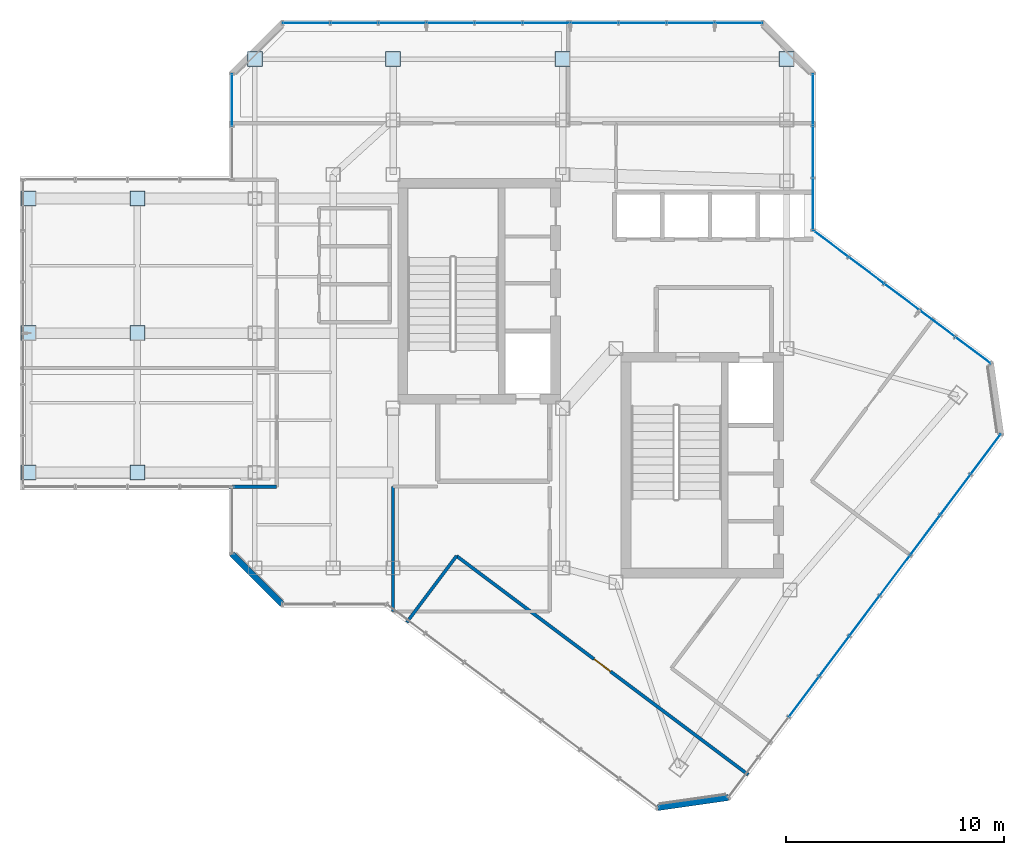
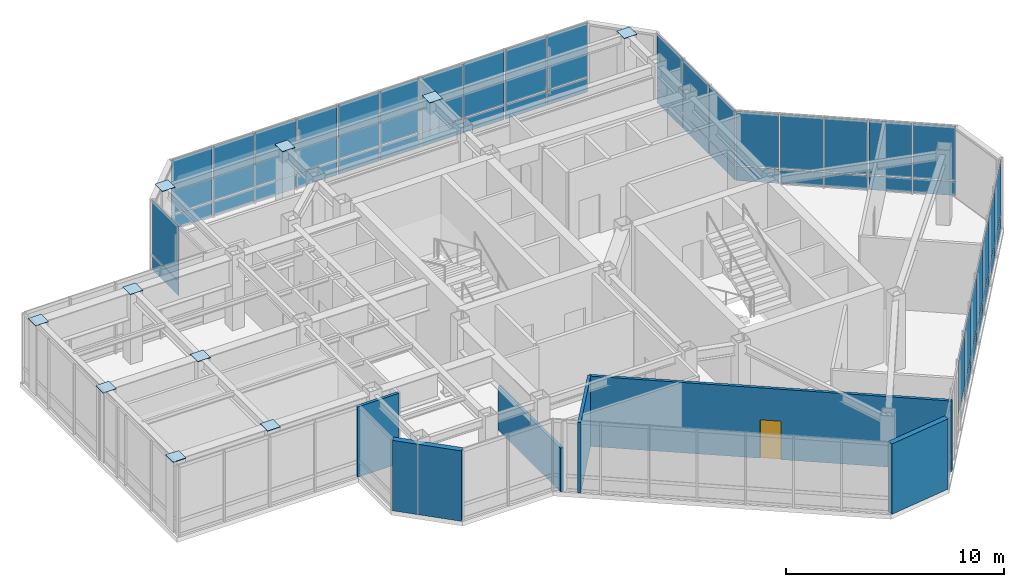
# One storey, part 17 of 22: 61 plates, 6 walls, 1 door, 1 opening, 5 elements without a shape of their own.
"""IFC4 building model written with IfcOpenShell, lengths in metres."""

from ifc_helpers import new_model, si_unit, direction, frame, frame_2d, origin, origin_2d, place, context, subcontext, project, spatial, rectangle, extrude, material, layer, layer_set, type_object, element, fill, aggregate, save


model = new_model("IFC4")

# Units and contexts
model_context = context("Model", 3, precision=1e-05, world=origin(), true_north=direction((0.0, 1.0)))
body_context = subcontext(model_context, "Body", "Model", "MODEL_VIEW")
ifc_project = project(units=[si_unit("LENGTHUNIT", "METRE"), si_unit("AREAUNIT", "SQUARE_METRE"), si_unit("VOLUMEUNIT", "CUBIC_METRE"), si_unit("PLANEANGLEUNIT", "RADIAN"), si_unit("MASSUNIT", "GRAM", prefix="KILO")], contexts=[model_context])

# Site, building, storey
site_placement = place(None, origin())
site = spatial("IfcSite", under=ifc_project, at=site_placement, CompositionType="ELEMENT")
building_placement = place(site_placement, origin())
building = spatial("IfcBuilding", under=site, at=building_placement, Name="Hatsunagi Terrace Concourse", CompositionType="ELEMENT")
storey_placement = place(building_placement, frame((0.0, 0.0, 261.75)))
storey = spatial("IfcBuildingStorey", under=building, at=storey_placement, Name="L69", CompositionType="ELEMENT", Elevation=261.75)

# Plates
ifc_material_1 = material(Name="Steel SN490C", Category="steel")
ifc_layer_1 = layer(ifc_material_1, 0.031982421875)
ifc_layer_set_1 = layer_set([ifc_layer_1], Name="ColumnEndCapPlate_32")
plate_type_1 = type_object("IfcPlateType", Name="ColumnEndCapPlate_32", PredefinedType="USERDEFINED", material=ifc_layer_set_1)
for number, where, z_axis, x_axis, name in (
    (1, (19.199951171875, 48.60009765625, 3.91796875), (0.0, 0.0, 1.0), (1.0, 0.0, 0.0), "Hollow Column Top Cap Plate GP-03 L69-WN3"),
    (2, (25.550048828125, 48.60009765625, 3.91796875), (0.0, 0.0, 1.0), (1.0, 0.0, 0.0), "Hollow Column Top Cap Plate GP-03 L69-WN4"),
    (3, (33.35009765625, 48.60009765625, 3.91796875), (0.0, 0.0, 1.0), (1.0, 0.0, 0.0), "Hollow Column Top Cap Plate GP-03 L69-WN5"),
    (4, (43.64990234375, 48.60009765625, 3.91796875), (0.0, 0.0, 1.0), (1.0, 0.0, 0.0), "Hollow Column Top Cap Plate GP-03 L69-WN6"),
    (5, (13.800048828125, 29.60009765625, 3.91796875), (0.0, 0.0, 1.0), (1.0, 0.0, 0.0), "Hollow Column Top Cap Plate GP-03 L69-SLM1"),
    (6, (8.800048828125, 29.60009765625, 3.91796875), (0.0, 0.0, 1.0), (1.0, 0.0, 0.0), "Hollow Column Top Cap Plate GP-03 L69-SLO1"),
    (7, (13.800048828125, 36.0, 3.91796875), (0.0, 0.0, 1.0), (1.0, 0.0, 0.0), "Hollow Column Top Cap Plate GP-03 L69-SLM2"),
    (8, (8.800048828125, 36.0, 3.91796875), (0.0, 0.0, 1.0), (1.0, 0.0, 0.0), "Hollow Column Top Cap Plate GP-03 L69-SLO2"),
    (9, (13.800048828125, 42.199951171875, 3.91796875), (0.0, 0.0, 1.0), (1.0, 0.0, 0.0), "Hollow Column Top Cap Plate GP-03 L69-SLM3"),
    (10, (8.800048828125, 42.199951171875, 3.91796875), (0.0, 0.0, 1.0), (1.0, 0.0, 0.0), "Hollow Column Top Cap Plate GP-03 L69-SLO3"),
):
    element("IfcPlate", number, at=place(storey_placement, frame(where, z_axis=z_axis, x_axis=x_axis)), inside=storey, type_object=plate_type_1, Name=name, ObjectType="GUSSET_PLATE", PredefinedType="USERDEFINED", context=body_context, shape_type="SweptSolid", body=[
        extrude(rectangle(XDim=0.68994140625, YDim=0.68994140625, at=origin_2d()), origin(), (0.0, 0.0, 1.0), 0.031982421875),
    ])

# Curtain wall, plate
ifc_material_2 = material(Name="Anodised Aluminium Alloy 6063-T5", Category="aluminium")
ifc_layer_2 = layer(ifc_material_2, 0.199951171875)
ifc_layer_set_2 = layer_set([ifc_layer_2], Name="SkyLobbyAtrium_CW05")
curtain_wall_type = type_object("IfcCurtainWallType", Name="SkyLobbyAtrium_CW05", PredefinedType="NOTDEFINED", material=ifc_layer_set_2)
curtain_wall_1_placement = place(storey_placement, origin())
curtain_wall_1 = element("IfcCurtainWall", 11, at=curtain_wall_1_placement, inside=storey, type_object=curtain_wall_type, Name="Unitised Curtain Wall CW-05 CW-L69-01", PredefinedType="NOTDEFINED")
ifc_material_3 = material(Name="Warm Terracotta Ceramic Spandrel Panel", Category="masonry")
ifc_layer_3 = layer(ifc_material_3, 0.031982421875)
ifc_layer_set_3 = layer_set([ifc_layer_3], Name="CurtainWallSpandrelPanel_32")
plate_type_2 = type_object("IfcPlateType", Name="CurtainWallSpandrelPanel_32", PredefinedType="SHEET", material=ifc_layer_set_3)
plate_1_placement = place(storey_placement, frame((18.139892578125, 46.720947265625, 0.030029296875), z_axis=(0.0, 0.0, 1.0), x_axis=(0.0, 1.0, 0.0)))
plate_1 = element("IfcPlate", 12, at=plate_1_placement, type_object=plate_type_2, Name="Terracotta Spandrel Panel SPN-01", PredefinedType="SHEET", context=body_context, shape_type="SweptSolid", body=[
    extrude(rectangle(XDim=2.385986328125, YDim=0.031982421875, at=origin_2d()), origin(), (0.0, 0.0, 1.0), 0.7900390625),
])

# Curtain wall, plates
curtain_wall_2_placement = place(storey_placement, origin())
curtain_wall_2 = element("IfcCurtainWall", 13, at=curtain_wall_2_placement, inside=storey, type_object=curtain_wall_type, Name="Unitised Curtain Wall CW-05 CW-L69-03", PredefinedType="NOTDEFINED")
plate_2_placement = place(storey_placement, frame((21.56201171875, 50.260009765625, 0.030029296875), z_axis=(0.0, 0.0, 1.0), x_axis=(1.0, 0.0, 0.0)))
plate_2 = element("IfcPlate", 14, at=plate_2_placement, type_object=plate_type_2, Name="Terracotta Spandrel Panel SPN-01", PredefinedType="SHEET", context=body_context, shape_type="SweptSolid", body=[
    extrude(rectangle(XDim=2.153076171875, YDim=0.031982421875, at=origin_2d()), origin(), (0.0, 0.0, 1.0), 0.7900390625),
])
plate_3_placement = place(storey_placement, frame((23.77099609375, 50.260009765625, 0.030029296875), z_axis=(0.0, 0.0, 1.0), x_axis=(1.0, 0.0, 0.0)))
plate_3 = element("IfcPlate", 15, at=plate_3_placement, type_object=plate_type_2, Name="Terracotta Spandrel Panel SPN-01", PredefinedType="SHEET", context=body_context, shape_type="SweptSolid", body=[
    extrude(rectangle(XDim=2.153076171875, YDim=0.031982421875, at=origin_2d()), origin(), (0.0, 0.0, 1.0), 0.7900390625),
])
plate_4_placement = place(storey_placement, frame((25.97900390625, 50.260009765625, 0.030029296875), z_axis=(0.0, 0.0, 1.0), x_axis=(1.0, 0.0, 0.0)))
plate_4 = element("IfcPlate", 16, at=plate_4_placement, type_object=plate_type_2, Name="Terracotta Spandrel Panel SPN-01", PredefinedType="SHEET", context=body_context, shape_type="SweptSolid", body=[
    extrude(rectangle(XDim=2.153076171875, YDim=0.031982421875, at=origin_2d()), origin(), (0.0, 0.0, 1.0), 0.7900390625),
])
plate_5_placement = place(storey_placement, frame((28.18701171875, 50.260009765625, 0.030029296875), z_axis=(0.0, 0.0, 1.0), x_axis=(1.0, 0.0, 0.0)))
plate_5 = element("IfcPlate", 17, at=plate_5_placement, type_object=plate_type_2, Name="Terracotta Spandrel Panel SPN-01", PredefinedType="SHEET", context=body_context, shape_type="SweptSolid", body=[
    extrude(rectangle(XDim=2.153076171875, YDim=0.031982421875, at=origin_2d()), origin(), (0.0, 0.0, 1.0), 0.7900390625),
])
plate_6_placement = place(storey_placement, frame((30.39599609375, 50.260009765625, 0.030029296875), z_axis=(0.0, 0.0, 1.0), x_axis=(1.0, 0.0, 0.0)))
plate_6 = element("IfcPlate", 18, at=plate_6_placement, type_object=plate_type_2, Name="Terracotta Spandrel Panel SPN-01", PredefinedType="SHEET", context=body_context, shape_type="SweptSolid", body=[
    extrude(rectangle(XDim=2.153076171875, YDim=0.031982421875, at=origin_2d()), origin(), (0.0, 0.0, 1.0), 0.7900390625),
])
plate_7_placement = place(storey_placement, frame((32.60400390625, 50.260009765625, 0.030029296875), z_axis=(0.0, 0.0, 1.0), x_axis=(1.0, 0.0, 0.0)))
plate_7 = element("IfcPlate", 19, at=plate_7_placement, type_object=plate_type_2, Name="Terracotta Spandrel Panel SPN-01", PredefinedType="SHEET", context=body_context, shape_type="SweptSolid", body=[
    extrude(rectangle(XDim=2.153076171875, YDim=0.031982421875, at=origin_2d()), origin(), (0.0, 0.0, 1.0), 0.7900390625),
])
plate_8_placement = place(storey_placement, frame((34.81298828125, 50.260009765625, 0.030029296875), z_axis=(0.0, 0.0, 1.0), x_axis=(1.0, 0.0, 0.0)))
plate_8 = element("IfcPlate", 20, at=plate_8_placement, type_object=plate_type_2, Name="Terracotta Spandrel Panel SPN-01", PredefinedType="SHEET", context=body_context, shape_type="SweptSolid", body=[
    extrude(rectangle(XDim=2.153076171875, YDim=0.031982421875, at=origin_2d()), origin(), (0.0, 0.0, 1.0), 0.7900390625),
])
plate_9_placement = place(storey_placement, frame((37.02099609375, 50.260009765625, 0.030029296875), z_axis=(0.0, 0.0, 1.0), x_axis=(1.0, 0.0, 0.0)))
plate_9 = element("IfcPlate", 21, at=plate_9_placement, type_object=plate_type_2, Name="Terracotta Spandrel Panel SPN-01", PredefinedType="SHEET", context=body_context, shape_type="SweptSolid", body=[
    extrude(rectangle(XDim=2.153076171875, YDim=0.031982421875, at=origin_2d()), origin(), (0.0, 0.0, 1.0), 0.7900390625),
])
plate_10_placement = place(storey_placement, frame((39.22900390625, 50.260009765625, 0.030029296875), z_axis=(0.0, 0.0, 1.0), x_axis=(1.0, 0.0, 0.0)))
plate_10 = element("IfcPlate", 22, at=plate_10_placement, type_object=plate_type_2, Name="Terracotta Spandrel Panel SPN-01", PredefinedType="SHEET", context=body_context, shape_type="SweptSolid", body=[
    extrude(rectangle(XDim=2.153076171875, YDim=0.031982421875, at=origin_2d()), origin(), (0.0, 0.0, 1.0), 0.7900390625),
])
plate_11_placement = place(storey_placement, frame((41.43798828125, 50.260009765625, 0.030029296875), z_axis=(0.0, 0.0, 1.0), x_axis=(1.0, 0.0, 0.0)))
plate_11 = element("IfcPlate", 23, at=plate_11_placement, type_object=plate_type_2, Name="Terracotta Spandrel Panel SPN-01", PredefinedType="SHEET", context=body_context, shape_type="SweptSolid", body=[
    extrude(rectangle(XDim=2.153076171875, YDim=0.031982421875, at=origin_2d()), origin(), (0.0, 0.0, 1.0), 0.7900390625),
])

curtain_wall_3_placement = place(storey_placement, origin())
curtain_wall_3 = element("IfcCurtainWall", 24, at=curtain_wall_3_placement, inside=storey, type_object=curtain_wall_type, Name="Unitised Curtain Wall CW-05 CW-L69-05", PredefinedType="NOTDEFINED")
plate_12_placement = place(storey_placement, frame((44.860107421875, 46.739990234375, 0.030029296875), z_axis=(0.0, 0.0, 1.0), x_axis=(0.0, -1.0, 0.0)))
plate_12 = element("IfcPlate", 25, at=plate_12_placement, type_object=plate_type_2, Name="Terracotta Spandrel Panel SPN-01", PredefinedType="SHEET", context=body_context, shape_type="SweptSolid", body=[
    extrude(rectangle(XDim=2.34912109375, YDim=0.031982421875, at=origin_2d()), origin(), (0.0, 0.0, 1.0), 0.7900390625),
])
plate_13_placement = place(storey_placement, frame((44.860107421875, 44.3359375, 0.030029296875), z_axis=(0.0, 0.0, 1.0), x_axis=(0.0, -1.0, 0.0)))
plate_13 = element("IfcPlate", 26, at=plate_13_placement, type_object=plate_type_2, Name="Terracotta Spandrel Panel SPN-01", PredefinedType="SHEET", context=body_context, shape_type="SweptSolid", body=[
    extrude(rectangle(XDim=2.34912109375, YDim=0.031982421875, at=origin_2d()), origin(), (0.0, 0.0, 1.0), 0.7900390625),
])
plate_14_placement = place(storey_placement, frame((44.860107421875, 41.931884765625, 0.030029296875), z_axis=(0.0, 0.0, 1.0), x_axis=(0.0, -1.0, 0.0)))
plate_14 = element("IfcPlate", 27, at=plate_14_placement, type_object=plate_type_2, Name="Terracotta Spandrel Panel SPN-01", PredefinedType="SHEET", context=body_context, shape_type="SweptSolid", body=[
    extrude(rectangle(XDim=2.34912109375, YDim=0.031982421875, at=origin_2d()), origin(), (0.0, 0.0, 1.0), 0.7900390625),
])

curtain_wall_4_placement = place(storey_placement, origin())
curtain_wall_4 = element("IfcCurtainWall", 28, at=curtain_wall_4_placement, inside=storey, type_object=curtain_wall_type, Name="Unitised Curtain Wall CW-05 CW-L69-06", PredefinedType="NOTDEFINED")
plate_15_placement = place(storey_placement, frame((45.677001953125, 40.116943359375, 0.030029296875), z_axis=(0.0, 0.0, 1.0), x_axis=(0.800023013105, -0.599969314634, 0.0)))
plate_15 = element("IfcPlate", 29, at=plate_15_placement, type_object=plate_type_2, Name="Terracotta Spandrel Panel SPN-01", PredefinedType="SHEET", context=body_context, shape_type="SweptSolid", body=[
    extrude(rectangle(XDim=1.987060546875, YDim=0.031982421875, at=origin_2d()), origin(), (0.0, 0.0, 1.0), 0.7900390625),
])
plate_16_placement = place(storey_placement, frame((47.31103515625, 38.89208984375, 0.030029296875), z_axis=(0.0, 0.0, 1.0), x_axis=(0.800023013105, -0.599969314634, 0.0)))
plate_16 = element("IfcPlate", 30, at=plate_16_placement, type_object=plate_type_2, Name="Terracotta Spandrel Panel SPN-01", PredefinedType="SHEET", context=body_context, shape_type="SweptSolid", body=[
    extrude(rectangle(XDim=1.987060546875, YDim=0.031982421875, at=origin_2d()), origin(), (0.0, 0.0, 1.0), 0.7900390625),
])
plate_17_placement = place(storey_placement, frame((48.945068359375, 37.666015625, 0.030029296875), z_axis=(0.0, 0.0, 1.0), x_axis=(0.800023013105, -0.599969314634, 0.0)))
plate_17 = element("IfcPlate", 31, at=plate_17_placement, type_object=plate_type_2, Name="Terracotta Spandrel Panel SPN-01", PredefinedType="SHEET", context=body_context, shape_type="SweptSolid", body=[
    extrude(rectangle(XDim=1.987060546875, YDim=0.031982421875, at=origin_2d()), origin(), (0.0, 0.0, 1.0), 0.7900390625),
])
plate_18_placement = place(storey_placement, frame((50.5791015625, 36.44091796875, 0.030029296875), z_axis=(0.0, 0.0, 1.0), x_axis=(0.800023013105, -0.599969314634, 0.0)))
plate_18 = element("IfcPlate", 32, at=plate_18_placement, type_object=plate_type_2, Name="Terracotta Spandrel Panel SPN-01", PredefinedType="SHEET", context=body_context, shape_type="SweptSolid", body=[
    extrude(rectangle(XDim=1.987060546875, YDim=0.031982421875, at=origin_2d()), origin(), (0.0, 0.0, 1.0), 0.7900390625),
])
plate_19_placement = place(storey_placement, frame((52.212890625, 35.216064453125, 0.030029296875), z_axis=(0.0, 0.0, 1.0), x_axis=(0.800023013105, -0.599969314634, 0.0)))
plate_19 = element("IfcPlate", 33, at=plate_19_placement, type_object=plate_type_2, Name="Terracotta Spandrel Panel SPN-01", PredefinedType="SHEET", context=body_context, shape_type="SweptSolid", body=[
    extrude(rectangle(XDim=1.987060546875, YDim=0.031982421875, at=origin_2d()), origin(), (0.0, 0.0, 1.0), 0.7900390625),
])

curtain_wall_5_placement = place(storey_placement, origin())
curtain_wall_5 = element("IfcCurtainWall", 34, at=curtain_wall_5_placement, inside=storey, type_object=curtain_wall_type, Name="Unitised Curtain Wall CW-05 CW-L69-08", PredefinedType="NOTDEFINED")
plate_20_placement = place(storey_placement, frame((52.797119140625, 30.429931640625, 0.030029296875), z_axis=(0.0, 0.0, 1.0), x_axis=(-0.599969314634, -0.800023013105, 0.0)))
plate_20 = element("IfcPlate", 35, at=plate_20_placement, type_object=plate_type_2, Name="Terracotta Spandrel Panel SPN-01", PredefinedType="SHEET", context=body_context, shape_type="SweptSolid", body=[
    extrude(rectangle(XDim=2.264892578125, YDim=0.031982421875, at=origin_2d()), origin(), (0.0, 0.0, 1.0), 0.7900390625),
])
plate_21_placement = place(storey_placement, frame((51.405029296875, 28.572998046875, 0.030029296875), z_axis=(0.0, 0.0, 1.0), x_axis=(-0.599969314634, -0.800023013105, 0.0)))
plate_21 = element("IfcPlate", 36, at=plate_21_placement, type_object=plate_type_2, Name="Terracotta Spandrel Panel SPN-01", PredefinedType="SHEET", context=body_context, shape_type="SweptSolid", body=[
    extrude(rectangle(XDim=2.264892578125, YDim=0.031982421875, at=origin_2d()), origin(), (0.0, 0.0, 1.0), 0.7900390625),
])
plate_22_placement = place(storey_placement, frame((50.011962890625, 26.717041015625, 0.030029296875), z_axis=(0.0, 0.0, 1.0), x_axis=(-0.599969314634, -0.800023013105, 0.0)))
plate_22 = element("IfcPlate", 37, at=plate_22_placement, type_object=plate_type_2, Name="Terracotta Spandrel Panel SPN-01", PredefinedType="SHEET", context=body_context, shape_type="SweptSolid", body=[
    extrude(rectangle(XDim=2.264892578125, YDim=0.031982421875, at=origin_2d()), origin(), (0.0, 0.0, 1.0), 0.7900390625),
])
plate_23_placement = place(storey_placement, frame((48.6201171875, 24.860107421875, 0.030029296875), z_axis=(0.0, 0.0, 1.0), x_axis=(-0.599969314634, -0.800023013105, 0.0)))
plate_23 = element("IfcPlate", 38, at=plate_23_placement, type_object=plate_type_2, Name="Terracotta Spandrel Panel SPN-01", PredefinedType="SHEET", context=body_context, shape_type="SweptSolid", body=[
    extrude(rectangle(XDim=2.264892578125, YDim=0.031982421875, at=origin_2d()), origin(), (0.0, 0.0, 1.0), 0.7900390625),
])
plate_24_placement = place(storey_placement, frame((47.22802734375, 23.00390625, 0.030029296875), z_axis=(0.0, 0.0, 1.0), x_axis=(-0.599969314634, -0.800023013105, 0.0)))
plate_24 = element("IfcPlate", 39, at=plate_24_placement, type_object=plate_type_2, Name="Terracotta Spandrel Panel SPN-01", PredefinedType="SHEET", context=body_context, shape_type="SweptSolid", body=[
    extrude(rectangle(XDim=2.264892578125, YDim=0.031982421875, at=origin_2d()), origin(), (0.0, 0.0, 1.0), 0.7900390625),
])
plate_25_placement = place(storey_placement, frame((45.8359375, 21.14794921875, 0.030029296875), z_axis=(0.0, 0.0, 1.0), x_axis=(-0.599969314634, -0.800023013105, 0.0)))
plate_25 = element("IfcPlate", 40, at=plate_25_placement, type_object=plate_type_2, Name="Terracotta Spandrel Panel SPN-01", PredefinedType="SHEET", context=body_context, shape_type="SweptSolid", body=[
    extrude(rectangle(XDim=2.264892578125, YDim=0.031982421875, at=origin_2d()), origin(), (0.0, 0.0, 1.0), 0.7900390625),
])

# Plate
ifc_material_4 = material(Name="Low-E Double Insulating Glass 28mm", Category="glass")
ifc_layer_4 = layer(ifc_material_4, 0.028076171875)
ifc_layer_set_4 = layer_set([ifc_layer_4], Name="CurtainWallVisionGlass_28")
plate_type_3 = type_object("IfcPlateType", Name="CurtainWallVisionGlass_28", PredefinedType="CURTAIN_PANEL", material=ifc_layer_set_4)
plate_26_placement = place(storey_placement, frame((18.139892578125, 46.720947265625, 0.8798828125), z_axis=(0.0, 0.0, 1.0), x_axis=(0.0, 1.0, 0.0)))
plate_26 = element("IfcPlate", 41, at=plate_26_placement, type_object=plate_type_3, Name="Low-E Vision Glass Panel GLZ-01", PredefinedType="CURTAIN_PANEL", context=body_context, shape_type="SweptSolid", body=[
    extrude(rectangle(XDim=2.385986328125, YDim=0.028076171875, at=origin_2d()), origin(), (0.0, 0.0, 1.0), 3.030029296875),
])

aggregate(curtain_wall_1, [plate_1, plate_26])

plate_27_placement = place(storey_placement, frame((21.56201171875, 50.260009765625, 0.8798828125), z_axis=(0.0, 0.0, 1.0), x_axis=(1.0, 0.0, 0.0)))
plate_27 = element("IfcPlate", 42, at=plate_27_placement, type_object=plate_type_3, Name="Low-E Vision Glass Panel GLZ-01", PredefinedType="CURTAIN_PANEL", context=body_context, shape_type="SweptSolid", body=[
    extrude(rectangle(XDim=2.153076171875, YDim=0.028076171875, at=origin_2d()), origin(), (0.0, 0.0, 1.0), 3.030029296875),
])

plate_28_placement = place(storey_placement, frame((23.77099609375, 50.260009765625, 0.8798828125), z_axis=(0.0, 0.0, 1.0), x_axis=(1.0, 0.0, 0.0)))
plate_28 = element("IfcPlate", 43, at=plate_28_placement, type_object=plate_type_3, Name="Low-E Vision Glass Panel GLZ-01", PredefinedType="CURTAIN_PANEL", context=body_context, shape_type="SweptSolid", body=[
    extrude(rectangle(XDim=2.153076171875, YDim=0.028076171875, at=origin_2d()), origin(), (0.0, 0.0, 1.0), 3.030029296875),
])

plate_29_placement = place(storey_placement, frame((25.97900390625, 50.260009765625, 0.8798828125), z_axis=(0.0, 0.0, 1.0), x_axis=(1.0, 0.0, 0.0)))
plate_29 = element("IfcPlate", 44, at=plate_29_placement, type_object=plate_type_3, Name="Low-E Vision Glass Panel GLZ-01", PredefinedType="CURTAIN_PANEL", context=body_context, shape_type="SweptSolid", body=[
    extrude(rectangle(XDim=2.153076171875, YDim=0.028076171875, at=origin_2d()), origin(), (0.0, 0.0, 1.0), 3.030029296875),
])

plate_30_placement = place(storey_placement, frame((28.18701171875, 50.260009765625, 0.8798828125), z_axis=(0.0, 0.0, 1.0), x_axis=(1.0, 0.0, 0.0)))
plate_30 = element("IfcPlate", 45, at=plate_30_placement, type_object=plate_type_3, Name="Low-E Vision Glass Panel GLZ-01", PredefinedType="CURTAIN_PANEL", context=body_context, shape_type="SweptSolid", body=[
    extrude(rectangle(XDim=2.153076171875, YDim=0.028076171875, at=origin_2d()), origin(), (0.0, 0.0, 1.0), 3.030029296875),
])

plate_31_placement = place(storey_placement, frame((30.39599609375, 50.260009765625, 0.8798828125), z_axis=(0.0, 0.0, 1.0), x_axis=(1.0, 0.0, 0.0)))
plate_31 = element("IfcPlate", 46, at=plate_31_placement, type_object=plate_type_3, Name="Low-E Vision Glass Panel GLZ-01", PredefinedType="CURTAIN_PANEL", context=body_context, shape_type="SweptSolid", body=[
    extrude(rectangle(XDim=2.153076171875, YDim=0.028076171875, at=origin_2d()), origin(), (0.0, 0.0, 1.0), 3.030029296875),
])

plate_32_placement = place(storey_placement, frame((32.60400390625, 50.260009765625, 0.8798828125), z_axis=(0.0, 0.0, 1.0), x_axis=(1.0, 0.0, 0.0)))
plate_32 = element("IfcPlate", 47, at=plate_32_placement, type_object=plate_type_3, Name="Low-E Vision Glass Panel GLZ-01", PredefinedType="CURTAIN_PANEL", context=body_context, shape_type="SweptSolid", body=[
    extrude(rectangle(XDim=2.153076171875, YDim=0.028076171875, at=origin_2d()), origin(), (0.0, 0.0, 1.0), 3.030029296875),
])

plate_33_placement = place(storey_placement, frame((34.81298828125, 50.260009765625, 0.8798828125), z_axis=(0.0, 0.0, 1.0), x_axis=(1.0, 0.0, 0.0)))
plate_33 = element("IfcPlate", 48, at=plate_33_placement, type_object=plate_type_3, Name="Low-E Vision Glass Panel GLZ-01", PredefinedType="CURTAIN_PANEL", context=body_context, shape_type="SweptSolid", body=[
    extrude(rectangle(XDim=2.153076171875, YDim=0.028076171875, at=origin_2d()), origin(), (0.0, 0.0, 1.0), 3.030029296875),
])

plate_34_placement = place(storey_placement, frame((37.02099609375, 50.260009765625, 0.8798828125), z_axis=(0.0, 0.0, 1.0), x_axis=(1.0, 0.0, 0.0)))
plate_34 = element("IfcPlate", 49, at=plate_34_placement, type_object=plate_type_3, Name="Low-E Vision Glass Panel GLZ-01", PredefinedType="CURTAIN_PANEL", context=body_context, shape_type="SweptSolid", body=[
    extrude(rectangle(XDim=2.153076171875, YDim=0.028076171875, at=origin_2d()), origin(), (0.0, 0.0, 1.0), 3.030029296875),
])

plate_35_placement = place(storey_placement, frame((39.22900390625, 50.260009765625, 0.8798828125), z_axis=(0.0, 0.0, 1.0), x_axis=(1.0, 0.0, 0.0)))
plate_35 = element("IfcPlate", 50, at=plate_35_placement, type_object=plate_type_3, Name="Low-E Vision Glass Panel GLZ-01", PredefinedType="CURTAIN_PANEL", context=body_context, shape_type="SweptSolid", body=[
    extrude(rectangle(XDim=2.153076171875, YDim=0.028076171875, at=origin_2d()), origin(), (0.0, 0.0, 1.0), 3.030029296875),
])

plate_36_placement = place(storey_placement, frame((41.43798828125, 50.260009765625, 0.8798828125), z_axis=(0.0, 0.0, 1.0), x_axis=(1.0, 0.0, 0.0)))
plate_36 = element("IfcPlate", 51, at=plate_36_placement, type_object=plate_type_3, Name="Low-E Vision Glass Panel GLZ-01", PredefinedType="CURTAIN_PANEL", context=body_context, shape_type="SweptSolid", body=[
    extrude(rectangle(XDim=2.153076171875, YDim=0.028076171875, at=origin_2d()), origin(), (0.0, 0.0, 1.0), 3.030029296875),
])

aggregate(curtain_wall_2, [plate_2, plate_27, plate_3, plate_28, plate_4, plate_29, plate_5, plate_30, plate_6, plate_31, plate_7, plate_32, plate_8, plate_33, plate_9, plate_34, plate_10, plate_35, plate_11, plate_36])

plate_37_placement = place(storey_placement, frame((44.860107421875, 46.739990234375, 0.8798828125), z_axis=(0.0, 0.0, 1.0), x_axis=(0.0, -1.0, 0.0)))
plate_37 = element("IfcPlate", 52, at=plate_37_placement, type_object=plate_type_3, Name="Low-E Vision Glass Panel GLZ-01", PredefinedType="CURTAIN_PANEL", context=body_context, shape_type="SweptSolid", body=[
    extrude(rectangle(XDim=2.34912109375, YDim=0.028076171875, at=origin_2d()), origin(), (0.0, 0.0, 1.0), 3.030029296875),
])

plate_38_placement = place(storey_placement, frame((44.860107421875, 44.3359375, 0.8798828125), z_axis=(0.0, 0.0, 1.0), x_axis=(0.0, -1.0, 0.0)))
plate_38 = element("IfcPlate", 53, at=plate_38_placement, type_object=plate_type_3, Name="Low-E Vision Glass Panel GLZ-01", PredefinedType="CURTAIN_PANEL", context=body_context, shape_type="SweptSolid", body=[
    extrude(rectangle(XDim=2.34912109375, YDim=0.028076171875, at=origin_2d()), origin(), (0.0, 0.0, 1.0), 3.030029296875),
])

plate_39_placement = place(storey_placement, frame((44.860107421875, 41.931884765625, 0.8798828125), z_axis=(0.0, 0.0, 1.0), x_axis=(0.0, -1.0, 0.0)))
plate_39 = element("IfcPlate", 54, at=plate_39_placement, type_object=plate_type_3, Name="Low-E Vision Glass Panel GLZ-01", PredefinedType="CURTAIN_PANEL", context=body_context, shape_type="SweptSolid", body=[
    extrude(rectangle(XDim=2.34912109375, YDim=0.028076171875, at=origin_2d()), origin(), (0.0, 0.0, 1.0), 3.030029296875),
])

aggregate(curtain_wall_3, [plate_12, plate_37, plate_13, plate_38, plate_14, plate_39])

plate_40_placement = place(storey_placement, frame((45.677001953125, 40.116943359375, 0.8798828125), z_axis=(0.0, 0.0, 1.0), x_axis=(0.800023013105, -0.599969314634, 0.0)))
plate_40 = element("IfcPlate", 55, at=plate_40_placement, type_object=plate_type_3, Name="Low-E Vision Glass Panel GLZ-01", PredefinedType="CURTAIN_PANEL", context=body_context, shape_type="SweptSolid", body=[
    extrude(rectangle(XDim=1.987060546875, YDim=0.028076171875, at=origin_2d()), origin(), (0.0, 0.0, 1.0), 3.030029296875),
])

plate_41_placement = place(storey_placement, frame((47.31103515625, 38.89208984375, 0.8798828125), z_axis=(0.0, 0.0, 1.0), x_axis=(0.800023013105, -0.599969314634, 0.0)))
plate_41 = element("IfcPlate", 56, at=plate_41_placement, type_object=plate_type_3, Name="Low-E Vision Glass Panel GLZ-01", PredefinedType="CURTAIN_PANEL", context=body_context, shape_type="SweptSolid", body=[
    extrude(rectangle(XDim=1.987060546875, YDim=0.028076171875, at=origin_2d()), origin(), (0.0, 0.0, 1.0), 3.030029296875),
])

plate_42_placement = place(storey_placement, frame((48.945068359375, 37.666015625, 0.8798828125), z_axis=(0.0, 0.0, 1.0), x_axis=(0.800023013105, -0.599969314634, 0.0)))
plate_42 = element("IfcPlate", 57, at=plate_42_placement, type_object=plate_type_3, Name="Low-E Vision Glass Panel GLZ-01", PredefinedType="CURTAIN_PANEL", context=body_context, shape_type="SweptSolid", body=[
    extrude(rectangle(XDim=1.987060546875, YDim=0.028076171875, at=origin_2d()), origin(), (0.0, 0.0, 1.0), 3.030029296875),
])

plate_43_placement = place(storey_placement, frame((50.5791015625, 36.44091796875, 0.8798828125), z_axis=(0.0, 0.0, 1.0), x_axis=(0.800023013105, -0.599969314634, 0.0)))
plate_43 = element("IfcPlate", 58, at=plate_43_placement, type_object=plate_type_3, Name="Low-E Vision Glass Panel GLZ-01", PredefinedType="CURTAIN_PANEL", context=body_context, shape_type="SweptSolid", body=[
    extrude(rectangle(XDim=1.987060546875, YDim=0.028076171875, at=origin_2d()), origin(), (0.0, 0.0, 1.0), 3.030029296875),
])

plate_44_placement = place(storey_placement, frame((52.212890625, 35.216064453125, 0.8798828125), z_axis=(0.0, 0.0, 1.0), x_axis=(0.800023013105, -0.599969314634, 0.0)))
plate_44 = element("IfcPlate", 59, at=plate_44_placement, type_object=plate_type_3, Name="Low-E Vision Glass Panel GLZ-01", PredefinedType="CURTAIN_PANEL", context=body_context, shape_type="SweptSolid", body=[
    extrude(rectangle(XDim=1.987060546875, YDim=0.028076171875, at=origin_2d()), origin(), (0.0, 0.0, 1.0), 3.030029296875),
])

aggregate(curtain_wall_4, [plate_15, plate_40, plate_16, plate_41, plate_17, plate_42, plate_18, plate_43, plate_19, plate_44])

plate_45_placement = place(storey_placement, frame((52.797119140625, 30.429931640625, 0.8798828125), z_axis=(0.0, 0.0, 1.0), x_axis=(-0.599969314634, -0.800023013105, 0.0)))
plate_45 = element("IfcPlate", 60, at=plate_45_placement, type_object=plate_type_3, Name="Low-E Vision Glass Panel GLZ-01", PredefinedType="CURTAIN_PANEL", context=body_context, shape_type="SweptSolid", body=[
    extrude(rectangle(XDim=2.264892578125, YDim=0.028076171875, at=origin_2d()), origin(), (0.0, 0.0, 1.0), 3.030029296875),
])

plate_46_placement = place(storey_placement, frame((51.405029296875, 28.572998046875, 0.8798828125), z_axis=(0.0, 0.0, 1.0), x_axis=(-0.599969314634, -0.800023013105, 0.0)))
plate_46 = element("IfcPlate", 61, at=plate_46_placement, type_object=plate_type_3, Name="Low-E Vision Glass Panel GLZ-01", PredefinedType="CURTAIN_PANEL", context=body_context, shape_type="SweptSolid", body=[
    extrude(rectangle(XDim=2.264892578125, YDim=0.028076171875, at=origin_2d()), origin(), (0.0, 0.0, 1.0), 3.030029296875),
])

plate_47_placement = place(storey_placement, frame((50.011962890625, 26.717041015625, 0.8798828125), z_axis=(0.0, 0.0, 1.0), x_axis=(-0.599969314634, -0.800023013105, 0.0)))
plate_47 = element("IfcPlate", 62, at=plate_47_placement, type_object=plate_type_3, Name="Low-E Vision Glass Panel GLZ-01", PredefinedType="CURTAIN_PANEL", context=body_context, shape_type="SweptSolid", body=[
    extrude(rectangle(XDim=2.264892578125, YDim=0.028076171875, at=origin_2d()), origin(), (0.0, 0.0, 1.0), 3.030029296875),
])

plate_48_placement = place(storey_placement, frame((48.6201171875, 24.860107421875, 0.8798828125), z_axis=(0.0, 0.0, 1.0), x_axis=(-0.599969314634, -0.800023013105, 0.0)))
plate_48 = element("IfcPlate", 63, at=plate_48_placement, type_object=plate_type_3, Name="Low-E Vision Glass Panel GLZ-01", PredefinedType="CURTAIN_PANEL", context=body_context, shape_type="SweptSolid", body=[
    extrude(rectangle(XDim=2.264892578125, YDim=0.028076171875, at=origin_2d()), origin(), (0.0, 0.0, 1.0), 3.030029296875),
])

plate_49_placement = place(storey_placement, frame((47.22802734375, 23.00390625, 0.8798828125), z_axis=(0.0, 0.0, 1.0), x_axis=(-0.599969314634, -0.800023013105, 0.0)))
plate_49 = element("IfcPlate", 64, at=plate_49_placement, type_object=plate_type_3, Name="Low-E Vision Glass Panel GLZ-01", PredefinedType="CURTAIN_PANEL", context=body_context, shape_type="SweptSolid", body=[
    extrude(rectangle(XDim=2.264892578125, YDim=0.028076171875, at=origin_2d()), origin(), (0.0, 0.0, 1.0), 3.030029296875),
])

plate_50_placement = place(storey_placement, frame((45.8359375, 21.14794921875, 0.8798828125), z_axis=(0.0, 0.0, 1.0), x_axis=(-0.599969314634, -0.800023013105, 0.0)))
plate_50 = element("IfcPlate", 65, at=plate_50_placement, type_object=plate_type_3, Name="Low-E Vision Glass Panel GLZ-01", PredefinedType="CURTAIN_PANEL", context=body_context, shape_type="SweptSolid", body=[
    extrude(rectangle(XDim=2.264892578125, YDim=0.028076171875, at=origin_2d()), origin(), (0.0, 0.0, 1.0), 3.030029296875),
])

plate_51_placement = place(storey_placement, frame((44.444091796875, 19.291015625, 0.8798828125), z_axis=(0.0, 0.0, 1.0), x_axis=(-0.599969314634, -0.800023013105, 0.0)))
plate_51 = element("IfcPlate", 66, at=plate_51_placement, type_object=plate_type_3, Name="Low-E Vision Glass Panel GLZ-01", PredefinedType="CURTAIN_PANEL", context=body_context, shape_type="SweptSolid", body=[
    extrude(rectangle(XDim=2.264892578125, YDim=0.028076171875, at=origin_2d()), origin(), (0.0, 0.0, 1.0), 3.030029296875),
])

aggregate(curtain_wall_5, [plate_20, plate_45, plate_21, plate_46, plate_22, plate_47, plate_23, plate_48, plate_24, plate_49, plate_25, plate_50, plate_51])

# Walls
ifc_material_5 = material(Name="Acoustic mineral board", Category="gypsum")
ifc_layer_5 = layer(ifc_material_5, 0.14990234375)
ifc_layer_set_5 = layer_set([ifc_layer_5], Name="PartitionWall_EI60_150")
wall_type_1 = type_object("IfcWallType", Name="PartitionWall_EI60_150", PredefinedType="PARTITIONING", material=ifc_layer_set_5)
wall_1_placement = place(storey_placement, frame((25.550048828125, 23.199951171875, 0.0), z_axis=(0.0, 0.0, 1.0), x_axis=(0.0, 1.0, 0.0)))
element("IfcWall", 67, at=wall_1_placement, inside=storey, type_object=wall_type_1, Name="Interior Partition IW-L69-029", PredefinedType="PARTITIONING", context=body_context, shape_type="SweptSolid", body=[
    extrude(rectangle(XDim=5.75, YDim=0.14990234375, at=frame_2d((2.875, 0.0))), origin(), (0.0, 0.0, 1.0), 2.445068359375),
])
wall_2_placement = place(storey_placement, frame((18.0, 28.93994140625, 0.0), z_axis=(0.0, 0.0, 1.0), x_axis=(1.0, 0.0, 0.0)))
element("IfcWall", 68, at=wall_2_placement, inside=storey, type_object=wall_type_1, Name="Interior Partition IW-L69-033", PredefinedType="PARTITIONING", context=body_context, shape_type="SweptSolid", body=[
    extrude(rectangle(XDim=2.199951171875, YDim=0.14990234375, at=frame_2d((1.10009765625, 0.0))), origin(), (0.0, 0.0, 1.0), 3.93994140625),
])

# Wall, opening, door
wall_3_placement = place(storey_placement, frame((28.469970703125, 25.760009765625, 0.0), z_axis=(0.0, 0.0, 1.0), x_axis=(0.800001748029, -0.599997669287, 0.0)))
wall_3 = element("IfcWall", 69, at=wall_3_placement, inside=storey, type_object=wall_type_1, Name="Interior Partition IW-L69-035", PredefinedType="PARTITIONING", context=body_context, shape_type="SweptSolid", body=[
    extrude(rectangle(XDim=16.760009765625, YDim=0.14990234375, at=frame_2d((8.3798828125, 0.0))), origin(), (0.0, 0.0, 1.0), 3.93994140625),
])
opening_placement = place(wall_3_placement, frame((7.905029296875, 0.0, 0.0)))
opening = element("IfcOpeningElement", 70, at=opening_placement, cuts=wall_3, Name="Opening DR-095", PredefinedType="OPENING", context=body_context, shape_type="SweptSolid", body=[
    extrude(rectangle(XDim=0.949951171875, YDim=2.14990234375, at=frame_2d((0.47509765625, 1.074951171875))), frame((0.0, 0.0849609375, 0.0), z_axis=(0.0, -1.0, 0.0), x_axis=(1.0, 0.0, 0.0)), (0.0, 0.0, 1.0), 0.169921875),
])
ifc_material_6 = material(Name="Hardwood timber", Category="wood")
door_type = type_object("IfcDoorType", Name="InteriorSuiteDoor_EI30_950", OperationType="NOTDEFINED", PredefinedType="DOOR", material=ifc_material_6)
door_placement = place(opening_placement, origin())
door = element("IfcDoor", 71, at=door_placement, inside=storey, type_object=door_type, Name="Sommelier Salon L69-SLSWS Door", OperationType="SINGLE_SWING_RIGHT", OverallHeight=2.14990234375, OverallWidth=0.949951171875, PredefinedType="DOOR", context=body_context, shape_type="SweptSolid", body=[
    extrude(rectangle(XDim=0.949951171875, YDim=2.14990234375, at=frame_2d((0.47509765625, 1.074951171875))), frame((0.0, 0.02490234375, 0.0), z_axis=(0.0, -1.0, 0.0), x_axis=(1.0, 0.0, 0.0)), (0.0, 0.0, 1.0), 0.050048828125),
])
fill(opening, door)

# Walls
wall_4_placement = place(storey_placement, frame((26.18408203125, 22.7119140625, 0.0), z_axis=(0.0, 0.0, 1.0), x_axis=(0.599969241761, 0.800023067755, 0.0)))
element("IfcWall", 72, at=wall_4_placement, inside=storey, type_object=wall_type_1, Name="Interior Partition IW-L69-036", PredefinedType="PARTITIONING", context=body_context, shape_type="SweptSolid", body=[
    extrude(rectangle(XDim=3.81005859375, YDim=0.14990234375, at=frame_2d((1.905029296875, 0.0))), origin(), (0.0, 0.0, 1.0), 3.93994140625),
])
ifc_material_7 = material(Name="Autoclaved Lightweight Concrete and Terracotta Cladding", Category="masonry")
ifc_layer_6 = layer(ifc_material_7, 0.280029296875)
ifc_layer_set_6 = layer_set([ifc_layer_6], Name="TerracottaSpandrelWall_280")
wall_type_2 = type_object("IfcWallType", Name="TerracottaSpandrelWall_280", PredefinedType="STANDARD", material=ifc_layer_set_6)
wall_5_placement = place(storey_placement, frame((40.962890625, 14.64990234375, 0.0), z_axis=(0.0, 0.0, 1.0), x_axis=(-0.989977778067, -0.141223223777, 0.0)))
element("IfcWall", 73, at=wall_5_placement, inside=storey, type_object=wall_type_2, Name="Exterior Spandrel Wall EW-L69-09", PredefinedType="STANDARD", context=body_context, shape_type="SweptSolid", body=[
    extrude(rectangle(XDim=3.27783203125, YDim=0.280029296875, at=frame_2d((1.638916015625, 0.0))), origin(), (0.0, 0.0, 1.0), 3.93994140625),
])
wall_6_placement = place(storey_placement, frame((20.4580078125, 23.5400390625, 0.0), z_axis=(0.0, 0.0, 1.0), x_axis=(-0.707144017911, 0.707069542501, 0.0)))
element("IfcWall", 74, at=wall_6_placement, inside=storey, type_object=wall_type_2, Name="Exterior Spandrel Wall EW-L69-12", PredefinedType="STANDARD", context=body_context, shape_type="SweptSolid", body=[
    extrude(rectangle(XDim=3.278076171875, YDim=0.280029296875, at=frame_2d((1.63916015625, 0.0))), origin(), (0.0, 0.0, 1.0), 3.93994140625),
])

save(model, "model.ifc")
